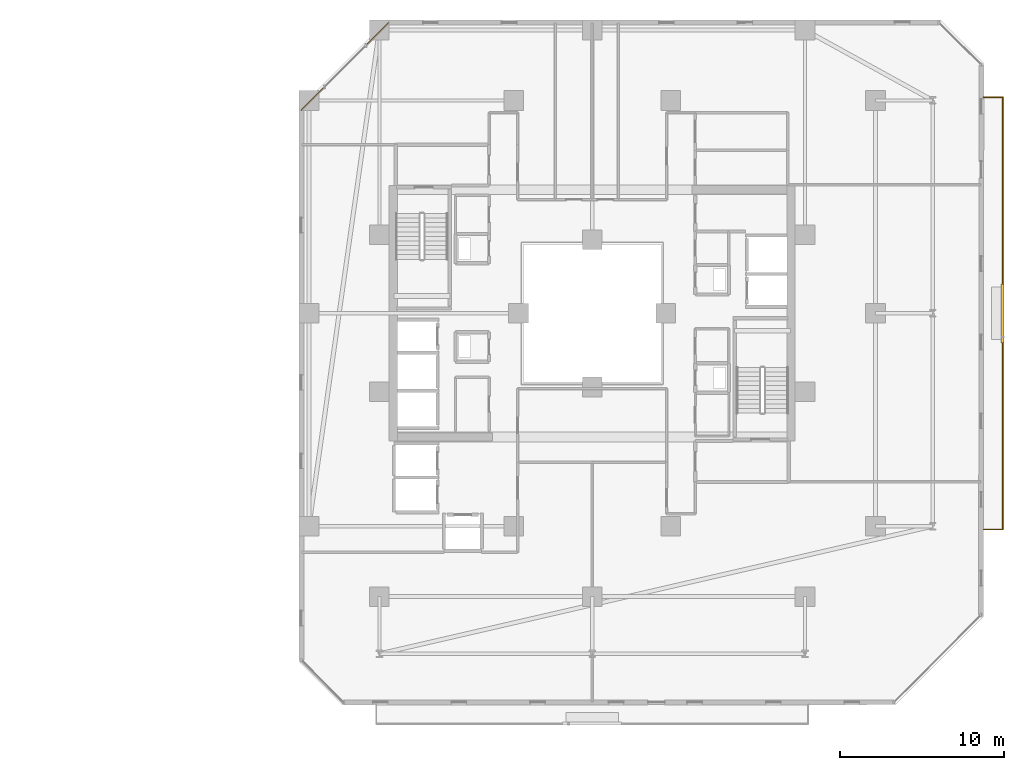
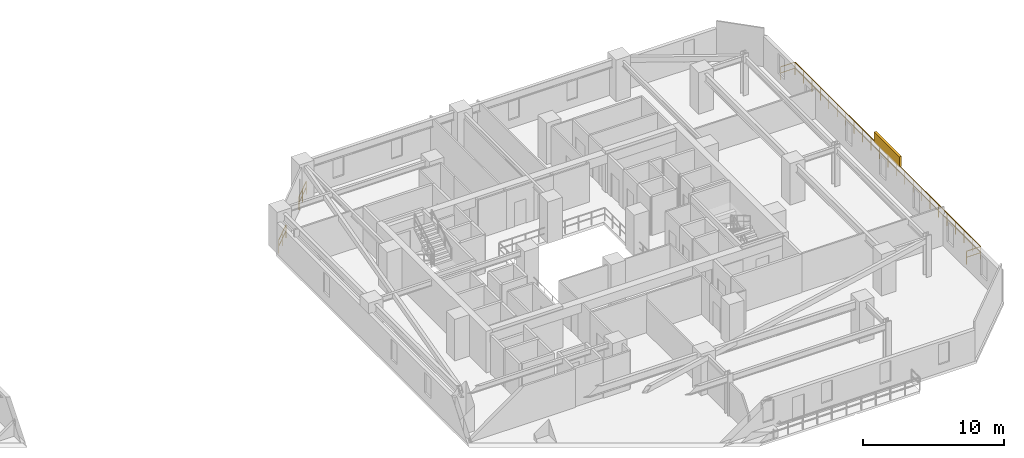
# One storey, part 33 of 33: 3 railings, 1 shading device.
"""IFC4 building model written with IfcOpenShell, lengths in metres."""

from ifc_helpers import new_model, si_unit, direction, frame, origin, origin_2d, place, context, subcontext, project, spatial, rectangle, extrude, material, type_object, element, save


model = new_model("IFC4")

# Units and contexts
model_context = context("Model", 3, precision=1e-05, world=origin(), true_north=direction((0.0, 1.0)))
body_context = subcontext(model_context, "Body", "Model", "MODEL_VIEW")
ifc_project = project(units=[si_unit("LENGTHUNIT", "METRE"), si_unit("AREAUNIT", "SQUARE_METRE"), si_unit("VOLUMEUNIT", "CUBIC_METRE"), si_unit("PLANEANGLEUNIT", "RADIAN"), si_unit("MASSUNIT", "GRAM", prefix="KILO")], contexts=[model_context])

# Site, building, storey
site_placement = place(None, origin())
site = spatial("IfcSite", under=ifc_project, at=site_placement, CompositionType="ELEMENT")
building_placement = place(site_placement, origin())
building = spatial("IfcBuilding", under=site, at=building_placement, Name="Thornwick Lancets Civic Towers", CompositionType="ELEMENT")
storey_placement = place(building_placement, frame((0.0, 0.0, 130.5)))
storey = spatial("IfcBuildingStorey", under=building, at=storey_placement, Name="L34", CompositionType="ELEMENT", Elevation=130.5)

# Railings
ifc_material_1 = material(Name="Terracotta-capped laminated glass balustrade S355", Category="masonry")
railing_type = type_object("IfcRailingType", Name="RAIL_TERR_GUARD", PredefinedType="GUARDRAIL", material=ifc_material_1)
for number, where, name in (
    (1, (76.076416015625, 44.755615234375, 0.0), "L34 Tower B Chamfer Spandrel Guard E5-1"),
    (2, (72.144287109375, 40.823486328125, 0.0), "L34 Tower B Chamfer Spandrel Guard E5-2"),
):
    element("IfcRailing", number, at=place(storey_placement, frame(where)), inside=storey, type_object=railing_type, Name=name, PredefinedType="GUARDRAIL", context=body_context, shape_type="SweptSolid", body=[
        extrude(rectangle(XDim=0.048095703125, YDim=0.048095703125, at=origin_2d()), frame((0.0, 0.0, 1.1259765625), z_axis=(-0.707106781187, -0.707106781187, 0.0), x_axis=(0.707106781187, -0.707106781187, 0.0)), (0.0, 0.0, 1.0), 1.979736328125),
        extrude(rectangle(XDim=0.0419921875, YDim=0.0419921875, at=origin_2d()), frame((-0.026611328125, -0.026611328125, 0.597900390625), z_axis=(-0.707106781187, -0.707106781187, 0.0), x_axis=(0.707106781187, -0.707106781187, 0.0)), (0.0, 0.0, 1.0), 0.914794921875),
        extrude(rectangle(XDim=0.0419921875, YDim=0.0419921875, at=origin_2d()), frame((-0.7265625, -0.7265625, 0.597900390625), z_axis=(-0.707106781187, -0.707106781187, 0.0), x_axis=(0.707106781187, -0.707106781187, 0.0)), (0.0, 0.0, 1.0), 0.914794921875),
        extrude(rectangle(XDim=0.0419921875, YDim=0.0419921875, at=origin_2d()), origin(), (0.0, 0.0, 1.0), 1.095703125),
        extrude(rectangle(XDim=0.0419921875, YDim=0.0419921875, at=origin_2d()), frame((-0.699951171875, -0.699951171875, 0.0)), (0.0, 0.0, 1.0), 1.095703125),
        extrude(rectangle(XDim=0.0419921875, YDim=0.0419921875, at=origin_2d()), frame((-1.39990234375, -1.39990234375, 0.0)), (0.0, 0.0, 1.0), 1.095703125),
    ])
railing_placement = place(storey_placement, frame((112.39990234375, 13.800048828125, 0.0)))
element("IfcRailing", 3, at=railing_placement, inside=storey, type_object=railing_type, Name="L34 Tower B Balcony Guard E", PredefinedType="GUARDRAIL", context=body_context, shape_type="SweptSolid", body=[
    extrude(rectangle(XDim=0.048095703125, YDim=0.048095703125, at=origin_2d()), frame((0.0, 0.0, 1.1259765625), z_axis=(1.0, 0.0, 0.0), x_axis=(0.0, 1.0, 0.0)), (0.0, 0.0, 1.0), 1.138916015625),
    extrude(rectangle(XDim=0.0419921875, YDim=0.0419921875, at=origin_2d()), frame((0.03759765625, 0.0, 0.597900390625), z_axis=(1.0, 0.0, 0.0), x_axis=(0.0, 1.0, 0.0)), (0.0, 0.0, 1.0), 1.09521484375),
    extrude(rectangle(XDim=0.048095703125, YDim=0.048095703125, at=origin_2d()), frame((1.170166015625, 0.03125, 1.1259765625), z_axis=(0.0, 1.0, 0.0), x_axis=(-1.0, 0.0, 0.0)), (0.0, 0.0, 1.0), 26.33740234375),
    extrude(rectangle(XDim=0.0419921875, YDim=0.0419921875, at=origin_2d()), frame((1.170166015625, 0.03759765625, 0.597900390625), z_axis=(0.0, 1.0, 0.0), x_axis=(-1.0, 0.0, 0.0)), (0.0, 0.0, 1.0), 1.125),
    extrude(rectangle(XDim=0.0419921875, YDim=0.0419921875, at=origin_2d()), frame((1.170166015625, 1.237548828125, 0.597900390625), z_axis=(0.0, 1.0, 0.0), x_axis=(-1.0, 0.0, 0.0)), (0.0, 0.0, 1.0), 1.125),
    extrude(rectangle(XDim=0.0419921875, YDim=0.0419921875, at=origin_2d()), frame((1.170166015625, 2.4375, 0.597900390625), z_axis=(0.0, 1.0, 0.0), x_axis=(-1.0, 0.0, 0.0)), (0.0, 0.0, 1.0), 1.125),
    extrude(rectangle(XDim=0.0419921875, YDim=0.0419921875, at=origin_2d()), frame((1.170166015625, 3.637451171875, 0.597900390625), z_axis=(0.0, 1.0, 0.0), x_axis=(-1.0, 0.0, 0.0)), (0.0, 0.0, 1.0), 1.125),
    extrude(rectangle(XDim=0.0419921875, YDim=0.0419921875, at=origin_2d()), frame((1.170166015625, 4.83740234375, 0.597900390625), z_axis=(0.0, 1.0, 0.0), x_axis=(-1.0, 0.0, 0.0)), (0.0, 0.0, 1.0), 1.125),
    extrude(rectangle(XDim=0.0419921875, YDim=0.0419921875, at=origin_2d()), frame((1.170166015625, 6.037353515625, 0.597900390625), z_axis=(0.0, 1.0, 0.0), x_axis=(-1.0, 0.0, 0.0)), (0.0, 0.0, 1.0), 1.125),
    extrude(rectangle(XDim=0.0419921875, YDim=0.0419921875, at=origin_2d()), frame((1.170166015625, 7.237548828125, 0.597900390625), z_axis=(0.0, 1.0, 0.0), x_axis=(-1.0, 0.0, 0.0)), (0.0, 0.0, 1.0), 1.125),
    extrude(rectangle(XDim=0.0419921875, YDim=0.0419921875, at=origin_2d()), frame((1.170166015625, 8.4375, 0.597900390625), z_axis=(0.0, 1.0, 0.0), x_axis=(-1.0, 0.0, 0.0)), (0.0, 0.0, 1.0), 1.125),
    extrude(rectangle(XDim=0.0419921875, YDim=0.0419921875, at=origin_2d()), frame((1.170166015625, 9.637451171875, 0.597900390625), z_axis=(0.0, 1.0, 0.0), x_axis=(-1.0, 0.0, 0.0)), (0.0, 0.0, 1.0), 1.125),
    extrude(rectangle(XDim=0.0419921875, YDim=0.0419921875, at=origin_2d()), frame((1.170166015625, 10.83740234375, 0.597900390625), z_axis=(0.0, 1.0, 0.0), x_axis=(-1.0, 0.0, 0.0)), (0.0, 0.0, 1.0), 1.125),
    extrude(rectangle(XDim=0.0419921875, YDim=0.0419921875, at=origin_2d()), frame((1.170166015625, 12.037353515625, 0.597900390625), z_axis=(0.0, 1.0, 0.0), x_axis=(-1.0, 0.0, 0.0)), (0.0, 0.0, 1.0), 1.125),
    extrude(rectangle(XDim=0.0419921875, YDim=0.0419921875, at=origin_2d()), frame((1.170166015625, 13.237548828125, 0.597900390625), z_axis=(0.0, 1.0, 0.0), x_axis=(-1.0, 0.0, 0.0)), (0.0, 0.0, 1.0), 1.125),
    extrude(rectangle(XDim=0.0419921875, YDim=0.0419921875, at=origin_2d()), frame((1.170166015625, 14.4375, 0.597900390625), z_axis=(0.0, 1.0, 0.0), x_axis=(-1.0, 0.0, 0.0)), (0.0, 0.0, 1.0), 1.125),
    extrude(rectangle(XDim=0.0419921875, YDim=0.0419921875, at=origin_2d()), frame((1.170166015625, 15.637451171875, 0.597900390625), z_axis=(0.0, 1.0, 0.0), x_axis=(-1.0, 0.0, 0.0)), (0.0, 0.0, 1.0), 1.125),
    extrude(rectangle(XDim=0.0419921875, YDim=0.0419921875, at=origin_2d()), frame((1.170166015625, 16.83740234375, 0.597900390625), z_axis=(0.0, 1.0, 0.0), x_axis=(-1.0, 0.0, 0.0)), (0.0, 0.0, 1.0), 1.125),
    extrude(rectangle(XDim=0.0419921875, YDim=0.0419921875, at=origin_2d()), frame((1.170166015625, 18.037353515625, 0.597900390625), z_axis=(0.0, 1.0, 0.0), x_axis=(-1.0, 0.0, 0.0)), (0.0, 0.0, 1.0), 1.125),
    extrude(rectangle(XDim=0.0419921875, YDim=0.0419921875, at=origin_2d()), frame((1.170166015625, 19.2373046875, 0.597900390625), z_axis=(0.0, 1.0, 0.0), x_axis=(-1.0, 0.0, 0.0)), (0.0, 0.0, 1.0), 1.125),
    extrude(rectangle(XDim=0.0419921875, YDim=0.0419921875, at=origin_2d()), frame((1.170166015625, 20.4375, 0.597900390625), z_axis=(0.0, 1.0, 0.0), x_axis=(-1.0, 0.0, 0.0)), (0.0, 0.0, 1.0), 1.125),
    extrude(rectangle(XDim=0.0419921875, YDim=0.0419921875, at=origin_2d()), frame((1.170166015625, 21.637451171875, 0.597900390625), z_axis=(0.0, 1.0, 0.0), x_axis=(-1.0, 0.0, 0.0)), (0.0, 0.0, 1.0), 1.125),
    extrude(rectangle(XDim=0.0419921875, YDim=0.0419921875, at=origin_2d()), frame((1.170166015625, 22.83740234375, 0.597900390625), z_axis=(0.0, 1.0, 0.0), x_axis=(-1.0, 0.0, 0.0)), (0.0, 0.0, 1.0), 1.125),
    extrude(rectangle(XDim=0.0419921875, YDim=0.0419921875, at=origin_2d()), frame((1.170166015625, 24.037353515625, 0.597900390625), z_axis=(0.0, 1.0, 0.0), x_axis=(-1.0, 0.0, 0.0)), (0.0, 0.0, 1.0), 1.125),
    extrude(rectangle(XDim=0.0419921875, YDim=0.0419921875, at=origin_2d()), frame((1.170166015625, 25.2373046875, 0.597900390625), z_axis=(0.0, 1.0, 0.0), x_axis=(-1.0, 0.0, 0.0)), (0.0, 0.0, 1.0), 1.125),
    extrude(rectangle(XDim=0.048095703125, YDim=0.048095703125, at=origin_2d()), frame((1.138916015625, 26.39990234375, 1.1259765625), z_axis=(-1.0, 0.0, 0.0), x_axis=(0.0, -1.0, 0.0)), (0.0, 0.0, 1.0), 1.138916015625),
    extrude(rectangle(XDim=0.0419921875, YDim=0.0419921875, at=origin_2d()), frame((1.132568359375, 26.39990234375, 0.597900390625), z_axis=(-1.0, 0.0, 0.0), x_axis=(0.0, -1.0, 0.0)), (0.0, 0.0, 1.0), 1.09521484375),
    extrude(rectangle(XDim=0.0419921875, YDim=0.0419921875, at=origin_2d()), origin(), (0.0, 0.0, 1.0), 1.095703125),
    extrude(rectangle(XDim=0.0419921875, YDim=0.0419921875, at=origin_2d()), frame((1.170166015625, 0.0, 0.0)), (0.0, 0.0, 1.0), 1.095703125),
    extrude(rectangle(XDim=0.0419921875, YDim=0.0419921875, at=origin_2d()), frame((1.170166015625, 1.199951171875, 0.0)), (0.0, 0.0, 1.0), 1.095703125),
    extrude(rectangle(XDim=0.0419921875, YDim=0.0419921875, at=origin_2d()), frame((1.170166015625, 2.39990234375, 0.0)), (0.0, 0.0, 1.0), 1.095703125),
    extrude(rectangle(XDim=0.0419921875, YDim=0.0419921875, at=origin_2d()), frame((1.170166015625, 3.60009765625, 0.0)), (0.0, 0.0, 1.0), 1.095703125),
    extrude(rectangle(XDim=0.0419921875, YDim=0.0419921875, at=origin_2d()), frame((1.170166015625, 4.800048828125, 0.0)), (0.0, 0.0, 1.0), 1.095703125),
    extrude(rectangle(XDim=0.0419921875, YDim=0.0419921875, at=origin_2d()), frame((1.170166015625, 6.0, 0.0)), (0.0, 0.0, 1.0), 1.095703125),
    extrude(rectangle(XDim=0.0419921875, YDim=0.0419921875, at=origin_2d()), frame((1.170166015625, 7.199951171875, 0.0)), (0.0, 0.0, 1.0), 1.095703125),
    extrude(rectangle(XDim=0.0419921875, YDim=0.0419921875, at=origin_2d()), frame((1.170166015625, 8.39990234375, 0.0)), (0.0, 0.0, 1.0), 1.095703125),
    extrude(rectangle(XDim=0.0419921875, YDim=0.0419921875, at=origin_2d()), frame((1.170166015625, 9.599853515625, 0.0)), (0.0, 0.0, 1.0), 1.095703125),
    extrude(rectangle(XDim=0.0419921875, YDim=0.0419921875, at=origin_2d()), frame((1.170166015625, 10.800048828125, 0.0)), (0.0, 0.0, 1.0), 1.095703125),
    extrude(rectangle(XDim=0.0419921875, YDim=0.0419921875, at=origin_2d()), frame((1.170166015625, 12.0, 0.0)), (0.0, 0.0, 1.0), 1.095703125),
    extrude(rectangle(XDim=0.0419921875, YDim=0.0419921875, at=origin_2d()), frame((1.170166015625, 13.199951171875, 0.0)), (0.0, 0.0, 1.0), 1.095703125),
    extrude(rectangle(XDim=0.0419921875, YDim=0.0419921875, at=origin_2d()), frame((1.170166015625, 14.39990234375, 0.0)), (0.0, 0.0, 1.0), 1.095703125),
    extrude(rectangle(XDim=0.0419921875, YDim=0.0419921875, at=origin_2d()), frame((1.170166015625, 15.599853515625, 0.0)), (0.0, 0.0, 1.0), 1.095703125),
    extrude(rectangle(XDim=0.0419921875, YDim=0.0419921875, at=origin_2d()), frame((1.170166015625, 16.800048828125, 0.0)), (0.0, 0.0, 1.0), 1.095703125),
    extrude(rectangle(XDim=0.0419921875, YDim=0.0419921875, at=origin_2d()), frame((1.170166015625, 18.0, 0.0)), (0.0, 0.0, 1.0), 1.095703125),
    extrude(rectangle(XDim=0.0419921875, YDim=0.0419921875, at=origin_2d()), frame((1.170166015625, 19.199951171875, 0.0)), (0.0, 0.0, 1.0), 1.095703125),
    extrude(rectangle(XDim=0.0419921875, YDim=0.0419921875, at=origin_2d()), frame((1.170166015625, 20.39990234375, 0.0)), (0.0, 0.0, 1.0), 1.095703125),
    extrude(rectangle(XDim=0.0419921875, YDim=0.0419921875, at=origin_2d()), frame((1.170166015625, 21.599853515625, 0.0)), (0.0, 0.0, 1.0), 1.095703125),
    extrude(rectangle(XDim=0.0419921875, YDim=0.0419921875, at=origin_2d()), frame((1.170166015625, 22.7998046875, 0.0)), (0.0, 0.0, 1.0), 1.095703125),
    extrude(rectangle(XDim=0.0419921875, YDim=0.0419921875, at=origin_2d()), frame((1.170166015625, 24.0, 0.0)), (0.0, 0.0, 1.0), 1.095703125),
    extrude(rectangle(XDim=0.0419921875, YDim=0.0419921875, at=origin_2d()), frame((1.170166015625, 25.199951171875, 0.0)), (0.0, 0.0, 1.0), 1.095703125),
    extrude(rectangle(XDim=0.0419921875, YDim=0.0419921875, at=origin_2d()), frame((1.170166015625, 26.39990234375, 0.0)), (0.0, 0.0, 1.0), 1.095703125),
    extrude(rectangle(XDim=0.0419921875, YDim=0.0419921875, at=origin_2d()), frame((0.0, 26.39990234375, 0.0)), (0.0, 0.0, 1.0), 1.095703125),
])

# Shading device
ifc_material_2 = material(Name="Extruded terracotta baguette solar screen", Category="masonry")
shading_device_type = type_object("IfcShadingDeviceType", Name="SHADE_BAGUETTE", PredefinedType="JALOUSIE", material=ifc_material_2)
shading_device_placement = place(storey_placement, frame((113.56005859375, 27.0, 1.1201171875), z_axis=(0.0, 0.0, 1.0), x_axis=(0.0, 1.0, 0.0)))
element("IfcShadingDevice", 4, at=shading_device_placement, inside=storey, type_object=shading_device_type, Name="L34 Tower B Terracotta Baguette Screen E", PredefinedType="JALOUSIE", context=body_context, shape_type="SweptSolid", body=[
    extrude(rectangle(XDim=3.60009765625, YDim=0.179931640625, at=origin_2d()), origin(), (0.0, 0.0, 1.0), 0.89990234375),
])

save(model, "model.ifc")
